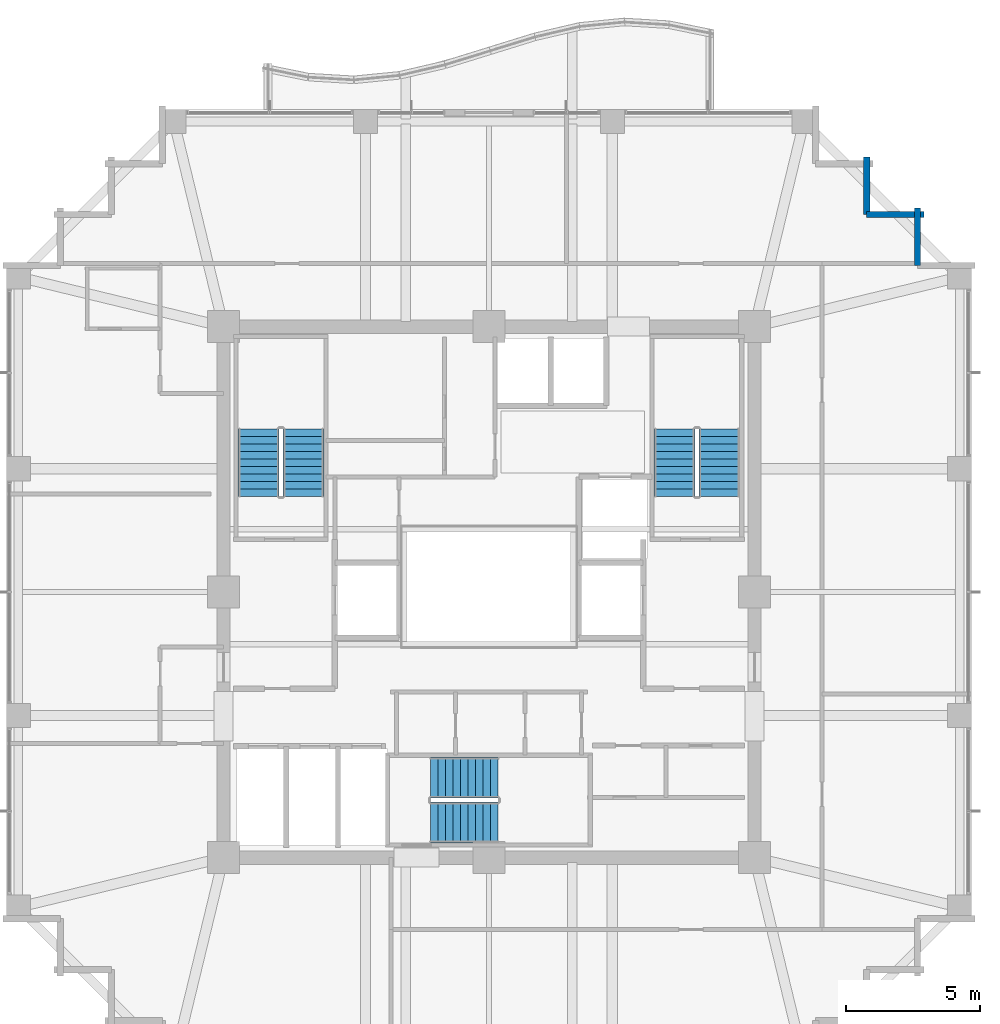
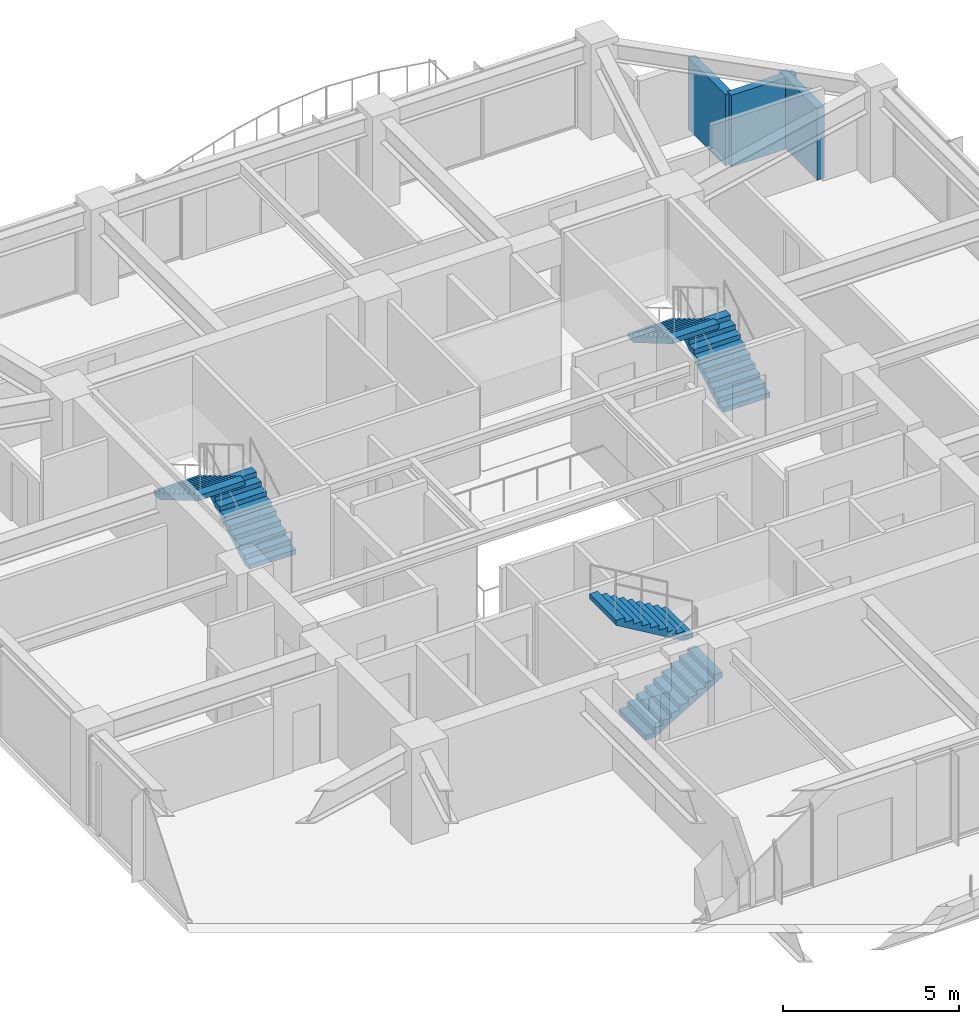
# One storey, part 29 of 31: 6 stair flights, 3 walls, 3 elements without a shape of their own.
"""IFC4 building model written with IfcOpenShell, lengths in metres."""

from ifc_helpers import new_model, si_unit, direction, frame, frame_2d, origin, place, context, subcontext, project, spatial, polyline, rectangle, outline, extrude, material, layer, layer_set, type_object, element, aggregate, save


model = new_model("IFC4")

# Units and contexts
model_context = context("Model", 3, precision=1e-05, world=origin(), true_north=direction((0.0, 1.0)))
body_context = subcontext(model_context, "Body", "Model", "MODEL_VIEW")
ifc_project = project(units=[si_unit("LENGTHUNIT", "METRE"), si_unit("AREAUNIT", "SQUARE_METRE"), si_unit("VOLUMEUNIT", "CUBIC_METRE"), si_unit("PLANEANGLEUNIT", "RADIAN"), si_unit("MASSUNIT", "GRAM", prefix="KILO")], contexts=[model_context])

# Site, building, storey
site_placement = place(None, origin())
site = spatial("IfcSite", under=ifc_project, at=site_placement, CompositionType="ELEMENT")
building_placement = place(site_placement, origin())
building = spatial("IfcBuilding", under=site, at=building_placement, Name="Kolvaren Belvedere", CompositionType="ELEMENT")
storey_placement = place(building_placement, frame((0.0, 0.0, 131.60009765625)))
storey = spatial("IfcBuildingStorey", under=building, at=storey_placement, Name="L38", CompositionType="ELEMENT", Elevation=131.60009765625)

# Walls
ifc_material_1 = material(Name="Insulated pale-metal facade wall assembly", Category="aluminium")
ifc_layer = layer(ifc_material_1, 0.239990234375)
ifc_layer_set = layer_set([ifc_layer], Name="Insulated pale-metal facade wall assembly")
wall_type = type_object("IfcWallType", Name="WL-EXT-240", PredefinedType="STANDARD", material=ifc_layer_set)
wall_placement = place(storey_placement, frame((15.97998046875, 14.320068359375, 0.0), z_axis=(0.0, 0.0, 1.0), x_axis=(0.0, -1.0, 0.0)))
element("IfcWall", 1, at=wall_placement, inside=storey, type_object=wall_type, Name="L38 Serrated Corner Facade Wall 10", PredefinedType="STANDARD", context=body_context, shape_type="SweptSolid", body=[
    extrude(rectangle(XDim=2.14013671875, YDim=0.239990234375, at=frame_2d((1.070068359375, 0.0))), origin(), (0.0, 0.0, 1.0), 2.47900390625),
])
for number, where, z_axis, x_axis, name in (
    (2, (14.080078125, 14.080078125, 0.0), (0.0, 0.0, 1.0), (1.0, 0.0, 0.0), "L38 Serrated Corner Facade Wall 11"),
    (3, (14.080078125, 16.219970703125, 0.0), (0.0, 0.0, 1.0), (0.0, -1.0, 0.0), "L38 Serrated Corner Facade Wall 12"),
):
    element("IfcWall", number, at=place(storey_placement, frame(where, z_axis=z_axis, x_axis=x_axis)), inside=storey, type_object=wall_type, Name=name, PredefinedType="STANDARD", context=body_context, shape_type="SweptSolid", body=[
        extrude(rectangle(XDim=2.139892578125, YDim=0.239990234375, at=frame_2d((1.06982421875, 0.0))), origin(), (0.0, 0.0, 1.0), 2.47900390625),
    ])

# Stair, stair flights
ifc_material_2 = material(Name="Concrete C50/60", Category="concrete")
stair_type = type_object("IfcStairType", Name="ST-CORE-1520", PredefinedType="HALF_TURN_STAIR", material=ifc_material_2)
stair_1_placement = place(storey_placement, origin())
stair_1 = element("IfcStair", 4, at=stair_1_placement, inside=storey, type_object=stair_type, Name="L38 Protected Exit Stair ST-1", PredefinedType="HALF_TURN_STAIR")
ifc_material_3 = material(Name="Concrete C50/60", Category="concrete")
stair_flight_type = type_object("IfcStairFlightType", Name="SF-STR-1520", PredefinedType="STRAIGHT", material=ifc_material_3)
stair_flight_1_placement = place(storey_placement, frame((-6.919921875, 3.570068359375, 0.0), z_axis=(0.0, 0.0, 1.0), x_axis=(0.0, 1.0, 0.0)))
stair_flight_1 = element("IfcStairFlight", 5, at=stair_flight_1_placement, type_object=stair_flight_type, Name="ST-1 flight 1", NumberOfRisers=10, NumberOfTreads=9, PredefinedType="STRAIGHT", RiserHeight=0.165, TreadLength=0.28, context=body_context, shape_type="SweptSolid", body=[
    extrude(outline(polyline([(0.0, 0.0), (0.0, 0.1650390625), (0.280029296875, 0.1650390625), (0.280029296875, 0.330078125), (0.56005859375, 0.330078125), (0.56005859375, 0.4951171875), (0.840087890625, 0.4951171875), (0.840087890625, 0.659912109375), (1.1201171875, 0.659912109375), (1.1201171875, 0.824951171875), (1.39990234375, 0.824951171875), (1.39990234375, 0.989990234375), (1.679931640625, 0.989990234375), (1.679931640625, 1.155029296875), (1.9599609375, 1.155029296875), (1.9599609375, 1.320068359375), (2.239990234375, 1.320068359375), (2.239990234375, 1.485107421875), (2.52001953125, 1.485107421875), (2.52001953125, 1.64990234375), (2.52001953125, 1.31103515625), (0.295166015625, 0.0), (0.0, 0.0)])), frame((0.0, 0.760009765625, 0.0), z_axis=(0.0, -1.0, 0.0), x_axis=(1.0, 0.0, 0.0)), (0.0, 0.0, 1.0), 1.52001953125),
])
stair_flight_2_placement = place(storey_placement, frame((-8.590087890625, 6.090087890625, 1.64990234375), z_axis=(0.0, 0.0, 1.0), x_axis=(0.0, -1.0, 0.0)))
stair_flight_2 = element("IfcStairFlight", 6, at=stair_flight_2_placement, type_object=stair_flight_type, Name="ST-1 flight 2", NumberOfRisers=10, NumberOfTreads=9, PredefinedType="STRAIGHT", RiserHeight=0.165, TreadLength=0.28, context=body_context, shape_type="SweptSolid", body=[
    extrude(outline(polyline([(0.0, 0.0), (0.0, 0.1650390625), (0.280029296875, 0.1650390625), (0.280029296875, 0.330078125), (0.56005859375, 0.330078125), (0.56005859375, 0.4951171875), (0.840087890625, 0.4951171875), (0.840087890625, 0.659912109375), (1.1201171875, 0.659912109375), (1.1201171875, 0.824951171875), (1.39990234375, 0.824951171875), (1.39990234375, 0.989990234375), (1.679931640625, 0.989990234375), (1.679931640625, 1.155029296875), (1.9599609375, 1.155029296875), (1.9599609375, 1.320068359375), (2.239990234375, 1.320068359375), (2.239990234375, 1.485107421875), (2.52001953125, 1.485107421875), (2.52001953125, 1.64990234375), (2.52001953125, 1.31103515625), (0.295166015625, 0.0), (0.0, 0.0)])), frame((0.0, 0.760009765625, 0.0), z_axis=(0.0, -1.0, 0.0), x_axis=(1.0, 0.0, 0.0)), (0.0, 0.0, 1.0), 1.52001953125),
])
aggregate(stair_1, [stair_flight_1, stair_flight_2])

stair_2_placement = place(storey_placement, origin())
stair_2 = element("IfcStair", 7, at=stair_2_placement, inside=storey, type_object=stair_type, Name="L38 Protected Exit Stair ST-2", PredefinedType="HALF_TURN_STAIR")
stair_flight_3_placement = place(storey_placement, frame((8.590087890625, 3.570068359375, 0.0), z_axis=(0.0, 0.0, 1.0), x_axis=(0.0, 1.0, 0.0)))
stair_flight_3 = element("IfcStairFlight", 8, at=stair_flight_3_placement, type_object=stair_flight_type, Name="ST-2 flight 1", NumberOfRisers=10, NumberOfTreads=9, PredefinedType="STRAIGHT", RiserHeight=0.165, TreadLength=0.28, context=body_context, shape_type="SweptSolid", body=[
    extrude(outline(polyline([(0.0, 0.0), (0.0, 0.1650390625), (0.280029296875, 0.1650390625), (0.280029296875, 0.330078125), (0.56005859375, 0.330078125), (0.56005859375, 0.4951171875), (0.840087890625, 0.4951171875), (0.840087890625, 0.659912109375), (1.1201171875, 0.659912109375), (1.1201171875, 0.824951171875), (1.39990234375, 0.824951171875), (1.39990234375, 0.989990234375), (1.679931640625, 0.989990234375), (1.679931640625, 1.155029296875), (1.9599609375, 1.155029296875), (1.9599609375, 1.320068359375), (2.239990234375, 1.320068359375), (2.239990234375, 1.485107421875), (2.52001953125, 1.485107421875), (2.52001953125, 1.64990234375), (2.52001953125, 1.31103515625), (0.295166015625, 0.0), (0.0, 0.0)])), frame((0.0, 0.760009765625, 0.0), z_axis=(0.0, -1.0, 0.0), x_axis=(1.0, 0.0, 0.0)), (0.0, 0.0, 1.0), 1.52001953125),
])
stair_flight_4_placement = place(storey_placement, frame((6.919921875, 6.090087890625, 1.64990234375), z_axis=(0.0, 0.0, 1.0), x_axis=(0.0, -1.0, 0.0)))
stair_flight_4 = element("IfcStairFlight", 9, at=stair_flight_4_placement, type_object=stair_flight_type, Name="ST-2 flight 2", NumberOfRisers=10, NumberOfTreads=9, PredefinedType="STRAIGHT", RiserHeight=0.165, TreadLength=0.28, context=body_context, shape_type="SweptSolid", body=[
    extrude(outline(polyline([(0.0, 0.0), (0.0, 0.1650390625), (0.280029296875, 0.1650390625), (0.280029296875, 0.330078125), (0.56005859375, 0.330078125), (0.56005859375, 0.4951171875), (0.840087890625, 0.4951171875), (0.840087890625, 0.659912109375), (1.1201171875, 0.659912109375), (1.1201171875, 0.824951171875), (1.39990234375, 0.824951171875), (1.39990234375, 0.989990234375), (1.679931640625, 0.989990234375), (1.679931640625, 1.155029296875), (1.9599609375, 1.155029296875), (1.9599609375, 1.320068359375), (2.239990234375, 1.320068359375), (2.239990234375, 1.485107421875), (2.52001953125, 1.485107421875), (2.52001953125, 1.64990234375), (2.52001953125, 1.31103515625), (0.295166015625, 0.0), (0.0, 0.0)])), frame((0.0, 0.760009765625, 0.0), z_axis=(0.0, -1.0, 0.0), x_axis=(1.0, 0.0, 0.0)), (0.0, 0.0, 1.0), 1.52001953125),
])
aggregate(stair_2, [stair_flight_3, stair_flight_4])

stair_3_placement = place(storey_placement, origin())
stair_3 = element("IfcStair", 10, at=stair_3_placement, inside=storey, type_object=stair_type, Name="L38 Protected Exit Stair ST-3", PredefinedType="HALF_TURN_STAIR")
stair_flight_5_placement = place(storey_placement, frame((-2.179931640625, -8.590087890625, 0.0), z_axis=(0.0, 0.0, 1.0), x_axis=(1.0, 0.0, 0.0)))
stair_flight_5 = element("IfcStairFlight", 11, at=stair_flight_5_placement, type_object=stair_flight_type, Name="ST-3 flight 1", NumberOfRisers=10, NumberOfTreads=9, PredefinedType="STRAIGHT", RiserHeight=0.165, TreadLength=0.28, context=body_context, shape_type="SweptSolid", body=[
    extrude(outline(polyline([(0.0, 0.0), (0.0, 0.1650390625), (0.280029296875, 0.1650390625), (0.280029296875, 0.330078125), (0.56005859375, 0.330078125), (0.56005859375, 0.4951171875), (0.840087890625, 0.4951171875), (0.840087890625, 0.659912109375), (1.1201171875, 0.659912109375), (1.1201171875, 0.824951171875), (1.39990234375, 0.824951171875), (1.39990234375, 0.989990234375), (1.679931640625, 0.989990234375), (1.679931640625, 1.155029296875), (1.9599609375, 1.155029296875), (1.9599609375, 1.320068359375), (2.239990234375, 1.320068359375), (2.239990234375, 1.485107421875), (2.52001953125, 1.485107421875), (2.52001953125, 1.64990234375), (2.52001953125, 1.31103515625), (0.295166015625, 0.0), (0.0, 0.0)])), frame((0.0, 0.760009765625, 0.0), z_axis=(0.0, -1.0, 0.0), x_axis=(1.0, 0.0, 0.0)), (0.0, 0.0, 1.0), 1.52001953125),
])
stair_flight_6_placement = place(storey_placement, frame((0.340087890625, -6.919921875, 1.64990234375), z_axis=(0.0, 0.0, 1.0), x_axis=(-1.0, 0.0, 0.0)))
stair_flight_6 = element("IfcStairFlight", 12, at=stair_flight_6_placement, type_object=stair_flight_type, Name="ST-3 flight 2", NumberOfRisers=10, NumberOfTreads=9, PredefinedType="STRAIGHT", RiserHeight=0.165, TreadLength=0.28, context=body_context, shape_type="SweptSolid", body=[
    extrude(outline(polyline([(0.0, 0.0), (0.0, 0.1650390625), (0.280029296875, 0.1650390625), (0.280029296875, 0.330078125), (0.56005859375, 0.330078125), (0.56005859375, 0.4951171875), (0.840087890625, 0.4951171875), (0.840087890625, 0.659912109375), (1.1201171875, 0.659912109375), (1.1201171875, 0.824951171875), (1.39990234375, 0.824951171875), (1.39990234375, 0.989990234375), (1.679931640625, 0.989990234375), (1.679931640625, 1.155029296875), (1.9599609375, 1.155029296875), (1.9599609375, 1.320068359375), (2.239990234375, 1.320068359375), (2.239990234375, 1.485107421875), (2.52001953125, 1.485107421875), (2.52001953125, 1.64990234375), (2.52001953125, 1.31103515625), (0.295166015625, 0.0), (0.0, 0.0)])), frame((0.0, 0.760009765625, 0.0), z_axis=(0.0, -1.0, 0.0), x_axis=(1.0, 0.0, 0.0)), (0.0, 0.0, 1.0), 1.52001953125),
])
aggregate(stair_3, [stair_flight_5, stair_flight_6])

save(model, "model.ifc")
